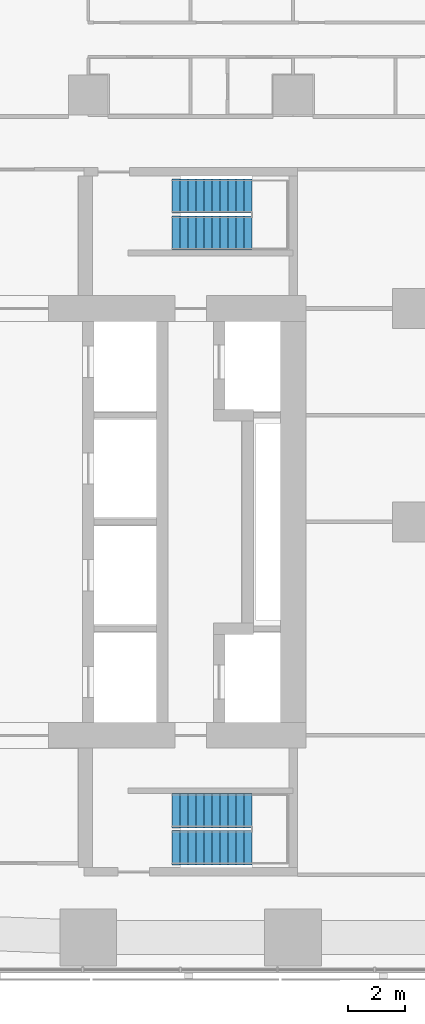
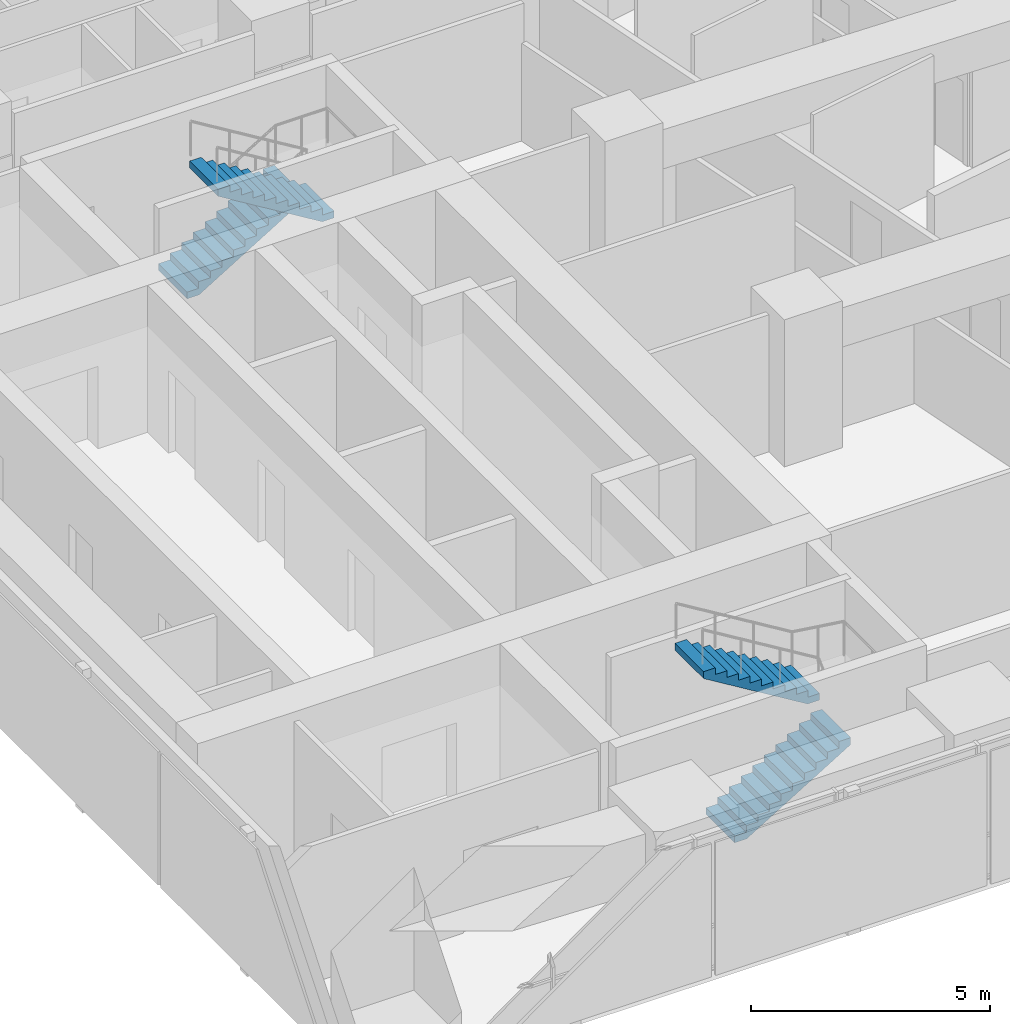
# One storey, part 10 of 11: 4 stair flights, 2 elements without a shape of their own.
"""IFC4 building model written with IfcOpenShell, lengths in metres."""

from ifc_helpers import new_model, si_unit, direction, frame, origin, place, context, subcontext, project, spatial, triangles, material, type_object, element, aggregate, save


model = new_model("IFC4")

# Units and contexts
model_context = context("Model", 3, precision=1e-05, world=origin(), true_north=direction((0.0, 1.0)))
body_context = subcontext(model_context, "Body", "Model", "MODEL_VIEW")
ifc_project = project(units=[si_unit("LENGTHUNIT", "METRE"), si_unit("AREAUNIT", "SQUARE_METRE"), si_unit("VOLUMEUNIT", "CUBIC_METRE"), si_unit("PLANEANGLEUNIT", "RADIAN"), si_unit("MASSUNIT", "GRAM", prefix="KILO")], contexts=[model_context])

# Site, building, storey
site_placement = place(None, origin())
site = spatial("IfcSite", under=ifc_project, at=site_placement, CompositionType="ELEMENT")
building_placement = place(site_placement, origin())
building = spatial("IfcBuilding", under=site, at=building_placement, Name="Sheger Commons Tower", CompositionType="ELEMENT")
storey_placement = place(building_placement, frame((0.0, 0.0, 270.35009765625)))
storey = spatial("IfcBuildingStorey", under=building, at=storey_placement, Name="L69", CompositionType="ELEMENT", Elevation=270.35009765625)

# Stair, stair flights
ifc_material_1 = material(Name="Concrete C35/45", Category="concrete")
stair_type = type_object("IfcStairType", Name="HALF-TURN STAIR 1200 RISE 3750", PredefinedType="HALF_TURN_STAIR", material=ifc_material_1)
stair_1_placement = place(storey_placement, origin())
stair_1 = element("IfcStair", 1, at=stair_1_placement, inside=storey, type_object=stair_type, Name="Stair S1 L69", PredefinedType="HALF_TURN_STAIR")
ifc_material_2 = material(Name="Concrete C35/45", Category="concrete")
stair_flight_type = type_object("IfcStairFlightType", Name="STAIR FLIGHT 1200 11 RISERS OF 170", PredefinedType="STRAIGHT", material=ifc_material_2)
stair_flight_1_placement = place(storey_placement, frame((24.550048828125, 11.050048828125, 0.0), z_axis=(0.0, 0.0, 1.0), x_axis=(1.0, 0.0, 0.0)))
stair_flight_1 = element("IfcStairFlight", 2, at=stair_flight_1_placement, type_object=stair_flight_type, Name="S1 flight 1", NumberOfRisers=11, NumberOfTreads=10, PredefinedType="STRAIGHT", RiserHeight=0.170454545, TreadLength=0.28, context=body_context, shape_type="Tessellation", body=[
    triangles([(0.0, 0.5999755859375, 0.0), (0.0, 0.5999755859375, 0.17041015625), (0.280029296875, 0.5999755859375, 0.17041015625), (0.280029296875, 0.5999755859375, 0.3408203125), (0.56005859375, 0.5999755859375, 0.3408203125), (0.56005859375, 0.5999755859375, 0.511474609375), (0.840087890625, 0.5999755859375, 0.511474609375), (0.840087890625, 0.5999755859375, 0.681884765625), (1.1201171875, 0.5999755859375, 0.681884765625), (1.1201171875, 0.5999755859375, 0.852294921875), (1.39990234375, 0.5999755859375, 0.852294921875), (1.39990234375, 0.5999755859375, 1.022705078125), (1.679931640625, 0.5999755859375, 1.022705078125), (1.679931640625, 0.5999755859375, 1.193115234375), (1.9599609375, 0.5999755859375, 1.193115234375), (1.9599609375, 0.5999755859375, 1.363525390625), (2.239990234375, 0.5999755859375, 1.363525390625), (2.239990234375, 0.5999755859375, 1.5341796875), (2.52001953125, 0.5999755859375, 1.5341796875), (2.52001953125, 0.5999755859375, 1.70458984375), (2.800048828125, 0.5999755859375, 1.70458984375), (2.800048828125, 0.5999755859375, 1.529052734375), (0.288330078125, 0.5999755859375, 0.0), (0.0, -0.5999755859375, 0.0), (0.0, -0.5999755859375, 0.17041015625), (0.280029296875, -0.5999755859375, 0.17041015625), (0.280029296875, -0.5999755859375, 0.3408203125), (0.56005859375, -0.5999755859375, 0.3408203125), (0.56005859375, -0.5999755859375, 0.511474609375), (0.840087890625, -0.5999755859375, 0.511474609375), (0.840087890625, -0.5999755859375, 0.681884765625), (1.1201171875, -0.5999755859375, 0.681884765625), (1.1201171875, -0.5999755859375, 0.852294921875), (1.39990234375, -0.5999755859375, 0.852294921875), (1.39990234375, -0.5999755859375, 1.022705078125), (1.679931640625, -0.5999755859375, 1.022705078125), (1.679931640625, -0.5999755859375, 1.193115234375), (1.9599609375, -0.5999755859375, 1.193115234375), (1.9599609375, -0.5999755859375, 1.363525390625), (2.239990234375, -0.5999755859375, 1.363525390625), (2.239990234375, -0.5999755859375, 1.5341796875), (2.52001953125, -0.5999755859375, 1.5341796875), (2.52001953125, -0.5999755859375, 1.70458984375), (2.800048828125, -0.5999755859375, 1.70458984375), (2.800048828125, -0.5999755859375, 1.529052734375), (0.288330078125, -0.5999755859375, 0.0), (0.0, 0.0, 0.085205078125), (0.1400146484375, 0.0, 0.17041015625), (0.280029296875, 0.0, 0.255615234375), (0.4200439453125, 0.0, 0.3408203125), (0.56005859375, 0.0, 0.4261474609375), (0.7000732421875, 0.0, 0.511474609375), (0.840087890625, 0.0, 0.5966796875), (0.9801025390625, 0.0, 0.681884765625), (1.1201171875, 0.0, 0.76708984375), (1.260009765625, 0.0, 0.852294921875), (1.39990234375, 0.0, 0.9375), (1.5399169921875, 0.0, 1.022705078125), (1.679931640625, 0.0, 1.10791015625), (1.8199462890625, 0.0, 1.193115234375), (1.9599609375, 0.0, 1.2783203125), (2.0999755859375, 0.0, 1.363525390625), (2.239990234375, 0.0, 1.4488525390625), (2.3800048828125, 0.0, 1.5341796875), (2.52001953125, 0.0, 1.619384765625), (2.6600341796875, 0.0, 1.70458984375), (2.800048828125, 0.0, 1.6168212890625), (1.544189453125, 0.0, 0.7645263671875), (0.1441650390625, 0.0, 0.0)], [[1, 22, 23], [24, 46, 45], [22, 20, 21], [45, 44, 43], [22, 19, 20], [45, 43, 42], [22, 18, 19], [45, 42, 41], [22, 17, 18], [45, 41, 40], [17, 15, 16], [40, 39, 38], [22, 15, 17], [45, 40, 38], [15, 13, 14], [38, 37, 36], [22, 13, 15], [45, 38, 36], [13, 11, 12], [36, 35, 34], [22, 11, 13], [45, 36, 34], [11, 9, 10], [34, 33, 32], [22, 9, 11], [45, 34, 32], [9, 7, 8], [32, 31, 30], [22, 7, 9], [45, 32, 30], [7, 5, 6], [30, 29, 28], [22, 5, 7], [45, 30, 28], [5, 3, 4], [28, 27, 26], [22, 3, 5], [45, 28, 26], [1, 3, 22], [24, 45, 26], [3, 1, 2], [26, 25, 24], [1, 47, 2], [2, 47, 25], [25, 47, 24], [24, 47, 1], [2, 48, 3], [3, 48, 26], [26, 48, 25], [25, 48, 2], [3, 49, 4], [4, 49, 27], [27, 49, 26], [26, 49, 3], [4, 50, 5], [5, 50, 28], [28, 50, 27], [27, 50, 4], [5, 51, 6], [6, 51, 29], [29, 51, 28], [28, 51, 5], [6, 52, 7], [7, 52, 30], [30, 52, 29], [29, 52, 6], [7, 53, 8], [8, 53, 31], [31, 53, 30], [30, 53, 7], [8, 54, 9], [9, 54, 32], [32, 54, 31], [31, 54, 8], [9, 55, 10], [10, 55, 33], [33, 55, 32], [32, 55, 9], [10, 56, 11], [11, 56, 34], [34, 56, 33], [33, 56, 10], [11, 57, 12], [12, 57, 35], [35, 57, 34], [34, 57, 11], [12, 58, 13], [13, 58, 36], [36, 58, 35], [35, 58, 12], [13, 59, 14], [14, 59, 37], [37, 59, 36], [36, 59, 13], [14, 60, 15], [15, 60, 38], [38, 60, 37], [37, 60, 14], [15, 61, 16], [16, 61, 39], [39, 61, 38], [38, 61, 15], [16, 62, 17], [17, 62, 40], [40, 62, 39], [39, 62, 16], [17, 63, 18], [18, 63, 41], [41, 63, 40], [40, 63, 17], [18, 64, 19], [19, 64, 42], [42, 64, 41], [41, 64, 18], [19, 65, 20], [20, 65, 43], [43, 65, 42], [42, 65, 19], [20, 66, 21], [21, 66, 44], [44, 66, 43], [43, 66, 20], [21, 67, 22], [22, 67, 45], [45, 67, 44], [44, 67, 21], [22, 68, 23], [23, 68, 46], [46, 68, 45], [45, 68, 22], [23, 69, 1], [1, 69, 24], [24, 69, 46], [46, 69, 23]], closed=True),
])
stair_flight_2_placement = place(storey_placement, frame((27.35009765625, 12.35009765625, 1.875), z_axis=(0.0, 0.0, 1.0), x_axis=(-1.0, 0.0, 0.0)))
stair_flight_2 = element("IfcStairFlight", 3, at=stair_flight_2_placement, type_object=stair_flight_type, Name="S1 flight 2", NumberOfRisers=11, NumberOfTreads=10, PredefinedType="STRAIGHT", RiserHeight=0.170454545, TreadLength=0.28, context=body_context, shape_type="Tessellation", body=[
    triangles([(0.0, 0.5999755859375, 0.0), (0.0, 0.5999755859375, 0.17041015625), (0.280029296875, 0.5999755859375, 0.17041015625), (0.280029296875, 0.5999755859375, 0.3408203125), (0.56005859375, 0.5999755859375, 0.3408203125), (0.56005859375, 0.5999755859375, 0.511474609375), (0.840087890625, 0.5999755859375, 0.511474609375), (0.840087890625, 0.5999755859375, 0.681884765625), (1.1201171875, 0.5999755859375, 0.681884765625), (1.1201171875, 0.5999755859375, 0.852294921875), (1.39990234375, 0.5999755859375, 0.852294921875), (1.39990234375, 0.5999755859375, 1.022705078125), (1.679931640625, 0.5999755859375, 1.022705078125), (1.679931640625, 0.5999755859375, 1.193115234375), (1.9599609375, 0.5999755859375, 1.193115234375), (1.9599609375, 0.5999755859375, 1.363525390625), (2.239990234375, 0.5999755859375, 1.363525390625), (2.239990234375, 0.5999755859375, 1.5341796875), (2.52001953125, 0.5999755859375, 1.5341796875), (2.52001953125, 0.5999755859375, 1.70458984375), (2.800048828125, 0.5999755859375, 1.70458984375), (2.800048828125, 0.5999755859375, 1.529052734375), (0.288330078125, 0.5999755859375, 0.0), (0.0, -0.5999755859375, 0.0), (0.0, -0.5999755859375, 0.17041015625), (0.280029296875, -0.5999755859375, 0.17041015625), (0.280029296875, -0.5999755859375, 0.3408203125), (0.56005859375, -0.5999755859375, 0.3408203125), (0.56005859375, -0.5999755859375, 0.511474609375), (0.840087890625, -0.5999755859375, 0.511474609375), (0.840087890625, -0.5999755859375, 0.681884765625), (1.1201171875, -0.5999755859375, 0.681884765625), (1.1201171875, -0.5999755859375, 0.852294921875), (1.39990234375, -0.5999755859375, 0.852294921875), (1.39990234375, -0.5999755859375, 1.022705078125), (1.679931640625, -0.5999755859375, 1.022705078125), (1.679931640625, -0.5999755859375, 1.193115234375), (1.9599609375, -0.5999755859375, 1.193115234375), (1.9599609375, -0.5999755859375, 1.363525390625), (2.239990234375, -0.5999755859375, 1.363525390625), (2.239990234375, -0.5999755859375, 1.5341796875), (2.52001953125, -0.5999755859375, 1.5341796875), (2.52001953125, -0.5999755859375, 1.70458984375), (2.800048828125, -0.5999755859375, 1.70458984375), (2.800048828125, -0.5999755859375, 1.529052734375), (0.288330078125, -0.5999755859375, 0.0), (0.0, 0.0, 0.085205078125), (0.1400146484375, 0.0, 0.17041015625), (0.280029296875, 0.0, 0.255615234375), (0.4200439453125, 0.0, 0.3408203125), (0.56005859375, 0.0, 0.4261474609375), (0.7000732421875, 0.0, 0.511474609375), (0.840087890625, 0.0, 0.5966796875), (0.9801025390625, 0.0, 0.681884765625), (1.1201171875, 0.0, 0.76708984375), (1.260009765625, 0.0, 0.852294921875), (1.39990234375, 0.0, 0.9375), (1.5399169921875, 0.0, 1.022705078125), (1.679931640625, 0.0, 1.10791015625), (1.8199462890625, 0.0, 1.193115234375), (1.9599609375, 0.0, 1.2783203125), (2.0999755859375, 0.0, 1.363525390625), (2.239990234375, 0.0, 1.4488525390625), (2.3800048828125, 0.0, 1.5341796875), (2.52001953125, 0.0, 1.619384765625), (2.6600341796875, 0.0, 1.70458984375), (2.800048828125, 0.0, 1.6168212890625), (1.544189453125, 0.0, 0.7645263671875), (0.1441650390625, 0.0, 0.0)], [[1, 22, 23], [24, 46, 45], [22, 20, 21], [45, 44, 43], [22, 19, 20], [45, 43, 42], [22, 18, 19], [45, 42, 41], [22, 17, 18], [45, 41, 40], [17, 15, 16], [40, 39, 38], [22, 15, 17], [45, 40, 38], [15, 13, 14], [38, 37, 36], [22, 13, 15], [45, 38, 36], [13, 11, 12], [36, 35, 34], [22, 11, 13], [45, 36, 34], [11, 9, 10], [34, 33, 32], [22, 9, 11], [45, 34, 32], [9, 7, 8], [32, 31, 30], [22, 7, 9], [45, 32, 30], [7, 5, 6], [30, 29, 28], [22, 5, 7], [45, 30, 28], [5, 3, 4], [28, 27, 26], [22, 3, 5], [45, 28, 26], [1, 3, 22], [24, 45, 26], [3, 1, 2], [26, 25, 24], [1, 47, 2], [2, 47, 25], [25, 47, 24], [24, 47, 1], [2, 48, 3], [3, 48, 26], [26, 48, 25], [25, 48, 2], [3, 49, 4], [4, 49, 27], [27, 49, 26], [26, 49, 3], [4, 50, 5], [5, 50, 28], [28, 50, 27], [27, 50, 4], [5, 51, 6], [6, 51, 29], [29, 51, 28], [28, 51, 5], [6, 52, 7], [7, 52, 30], [30, 52, 29], [29, 52, 6], [7, 53, 8], [8, 53, 31], [31, 53, 30], [30, 53, 7], [8, 54, 9], [9, 54, 32], [32, 54, 31], [31, 54, 8], [9, 55, 10], [10, 55, 33], [33, 55, 32], [32, 55, 9], [10, 56, 11], [11, 56, 34], [34, 56, 33], [33, 56, 10], [11, 57, 12], [12, 57, 35], [35, 57, 34], [34, 57, 11], [12, 58, 13], [13, 58, 36], [36, 58, 35], [35, 58, 12], [13, 59, 14], [14, 59, 37], [37, 59, 36], [36, 59, 13], [14, 60, 15], [15, 60, 38], [38, 60, 37], [37, 60, 14], [15, 61, 16], [16, 61, 39], [39, 61, 38], [38, 61, 15], [16, 62, 17], [17, 62, 40], [40, 62, 39], [39, 62, 16], [17, 63, 18], [18, 63, 41], [41, 63, 40], [40, 63, 17], [18, 64, 19], [19, 64, 42], [42, 64, 41], [41, 64, 18], [19, 65, 20], [20, 65, 43], [43, 65, 42], [42, 65, 19], [20, 66, 21], [21, 66, 44], [44, 66, 43], [43, 66, 20], [21, 67, 22], [22, 67, 45], [45, 67, 44], [44, 67, 21], [22, 68, 23], [23, 68, 46], [46, 68, 45], [45, 68, 22], [23, 69, 1], [1, 69, 24], [24, 69, 46], [46, 69, 23]], closed=True),
])
aggregate(stair_1, [stair_flight_1, stair_flight_2])

stair_2_placement = place(storey_placement, origin())
stair_2 = element("IfcStair", 4, at=stair_2_placement, inside=storey, type_object=stair_type, Name="Stair S2 L69", PredefinedType="HALF_TURN_STAIR")
stair_flight_3_placement = place(storey_placement, frame((24.550048828125, 33.949951171875, 0.0), z_axis=(0.0, 0.0, 1.0), x_axis=(1.0, 0.0, 0.0)))
stair_flight_3 = element("IfcStairFlight", 5, at=stair_flight_3_placement, type_object=stair_flight_type, Name="S2 flight 1", NumberOfRisers=11, NumberOfTreads=10, PredefinedType="STRAIGHT", RiserHeight=0.170454545, TreadLength=0.28, context=body_context, shape_type="Tessellation", body=[
    triangles([(0.0, 0.5999755859375, 0.0), (0.0, 0.5999755859375, 0.17041015625), (0.280029296875, 0.5999755859375, 0.17041015625), (0.280029296875, 0.5999755859375, 0.3408203125), (0.56005859375, 0.5999755859375, 0.3408203125), (0.56005859375, 0.5999755859375, 0.511474609375), (0.840087890625, 0.5999755859375, 0.511474609375), (0.840087890625, 0.5999755859375, 0.681884765625), (1.1201171875, 0.5999755859375, 0.681884765625), (1.1201171875, 0.5999755859375, 0.852294921875), (1.39990234375, 0.5999755859375, 0.852294921875), (1.39990234375, 0.5999755859375, 1.022705078125), (1.679931640625, 0.5999755859375, 1.022705078125), (1.679931640625, 0.5999755859375, 1.193115234375), (1.9599609375, 0.5999755859375, 1.193115234375), (1.9599609375, 0.5999755859375, 1.363525390625), (2.239990234375, 0.5999755859375, 1.363525390625), (2.239990234375, 0.5999755859375, 1.5341796875), (2.52001953125, 0.5999755859375, 1.5341796875), (2.52001953125, 0.5999755859375, 1.70458984375), (2.800048828125, 0.5999755859375, 1.70458984375), (2.800048828125, 0.5999755859375, 1.529052734375), (0.288330078125, 0.5999755859375, 0.0), (0.0, -0.5999755859375, 0.0), (0.0, -0.5999755859375, 0.17041015625), (0.280029296875, -0.5999755859375, 0.17041015625), (0.280029296875, -0.5999755859375, 0.3408203125), (0.56005859375, -0.5999755859375, 0.3408203125), (0.56005859375, -0.5999755859375, 0.511474609375), (0.840087890625, -0.5999755859375, 0.511474609375), (0.840087890625, -0.5999755859375, 0.681884765625), (1.1201171875, -0.5999755859375, 0.681884765625), (1.1201171875, -0.5999755859375, 0.852294921875), (1.39990234375, -0.5999755859375, 0.852294921875), (1.39990234375, -0.5999755859375, 1.022705078125), (1.679931640625, -0.5999755859375, 1.022705078125), (1.679931640625, -0.5999755859375, 1.193115234375), (1.9599609375, -0.5999755859375, 1.193115234375), (1.9599609375, -0.5999755859375, 1.363525390625), (2.239990234375, -0.5999755859375, 1.363525390625), (2.239990234375, -0.5999755859375, 1.5341796875), (2.52001953125, -0.5999755859375, 1.5341796875), (2.52001953125, -0.5999755859375, 1.70458984375), (2.800048828125, -0.5999755859375, 1.70458984375), (2.800048828125, -0.5999755859375, 1.529052734375), (0.288330078125, -0.5999755859375, 0.0), (0.0, 0.0, 0.085205078125), (0.1400146484375, 0.0, 0.17041015625), (0.280029296875, 0.0, 0.255615234375), (0.4200439453125, 0.0, 0.3408203125), (0.56005859375, 0.0, 0.4261474609375), (0.7000732421875, 0.0, 0.511474609375), (0.840087890625, 0.0, 0.5966796875), (0.9801025390625, 0.0, 0.681884765625), (1.1201171875, 0.0, 0.76708984375), (1.260009765625, 0.0, 0.852294921875), (1.39990234375, 0.0, 0.9375), (1.5399169921875, 0.0, 1.022705078125), (1.679931640625, 0.0, 1.10791015625), (1.8199462890625, 0.0, 1.193115234375), (1.9599609375, 0.0, 1.2783203125), (2.0999755859375, 0.0, 1.363525390625), (2.239990234375, 0.0, 1.4488525390625), (2.3800048828125, 0.0, 1.5341796875), (2.52001953125, 0.0, 1.619384765625), (2.6600341796875, 0.0, 1.70458984375), (2.800048828125, 0.0, 1.6168212890625), (1.544189453125, 0.0, 0.7645263671875), (0.1441650390625, 0.0, 0.0)], [[1, 22, 23], [24, 46, 45], [22, 20, 21], [45, 44, 43], [22, 19, 20], [45, 43, 42], [22, 18, 19], [45, 42, 41], [22, 17, 18], [45, 41, 40], [17, 15, 16], [40, 39, 38], [22, 15, 17], [45, 40, 38], [15, 13, 14], [38, 37, 36], [22, 13, 15], [45, 38, 36], [13, 11, 12], [36, 35, 34], [22, 11, 13], [45, 36, 34], [11, 9, 10], [34, 33, 32], [22, 9, 11], [45, 34, 32], [9, 7, 8], [32, 31, 30], [22, 7, 9], [45, 32, 30], [7, 5, 6], [30, 29, 28], [22, 5, 7], [45, 30, 28], [5, 3, 4], [28, 27, 26], [22, 3, 5], [45, 28, 26], [1, 3, 22], [24, 45, 26], [3, 1, 2], [26, 25, 24], [1, 47, 2], [2, 47, 25], [25, 47, 24], [24, 47, 1], [2, 48, 3], [3, 48, 26], [26, 48, 25], [25, 48, 2], [3, 49, 4], [4, 49, 27], [27, 49, 26], [26, 49, 3], [4, 50, 5], [5, 50, 28], [28, 50, 27], [27, 50, 4], [5, 51, 6], [6, 51, 29], [29, 51, 28], [28, 51, 5], [6, 52, 7], [7, 52, 30], [30, 52, 29], [29, 52, 6], [7, 53, 8], [8, 53, 31], [31, 53, 30], [30, 53, 7], [8, 54, 9], [9, 54, 32], [32, 54, 31], [31, 54, 8], [9, 55, 10], [10, 55, 33], [33, 55, 32], [32, 55, 9], [10, 56, 11], [11, 56, 34], [34, 56, 33], [33, 56, 10], [11, 57, 12], [12, 57, 35], [35, 57, 34], [34, 57, 11], [12, 58, 13], [13, 58, 36], [36, 58, 35], [35, 58, 12], [13, 59, 14], [14, 59, 37], [37, 59, 36], [36, 59, 13], [14, 60, 15], [15, 60, 38], [38, 60, 37], [37, 60, 14], [15, 61, 16], [16, 61, 39], [39, 61, 38], [38, 61, 15], [16, 62, 17], [17, 62, 40], [40, 62, 39], [39, 62, 16], [17, 63, 18], [18, 63, 41], [41, 63, 40], [40, 63, 17], [18, 64, 19], [19, 64, 42], [42, 64, 41], [41, 64, 18], [19, 65, 20], [20, 65, 43], [43, 65, 42], [42, 65, 19], [20, 66, 21], [21, 66, 44], [44, 66, 43], [43, 66, 20], [21, 67, 22], [22, 67, 45], [45, 67, 44], [44, 67, 21], [22, 68, 23], [23, 68, 46], [46, 68, 45], [45, 68, 22], [23, 69, 1], [1, 69, 24], [24, 69, 46], [46, 69, 23]], closed=True),
])
stair_flight_4_placement = place(storey_placement, frame((27.35009765625, 32.64990234375, 1.875), z_axis=(0.0, 0.0, 1.0), x_axis=(-1.0, 0.0, 0.0)))
stair_flight_4 = element("IfcStairFlight", 6, at=stair_flight_4_placement, type_object=stair_flight_type, Name="S2 flight 2", NumberOfRisers=11, NumberOfTreads=10, PredefinedType="STRAIGHT", RiserHeight=0.170454545, TreadLength=0.28, context=body_context, shape_type="Tessellation", body=[
    triangles([(0.0, 0.5999755859375, 0.0), (0.0, 0.5999755859375, 0.17041015625), (0.280029296875, 0.5999755859375, 0.17041015625), (0.280029296875, 0.5999755859375, 0.3408203125), (0.56005859375, 0.5999755859375, 0.3408203125), (0.56005859375, 0.5999755859375, 0.511474609375), (0.840087890625, 0.5999755859375, 0.511474609375), (0.840087890625, 0.5999755859375, 0.681884765625), (1.1201171875, 0.5999755859375, 0.681884765625), (1.1201171875, 0.5999755859375, 0.852294921875), (1.39990234375, 0.5999755859375, 0.852294921875), (1.39990234375, 0.5999755859375, 1.022705078125), (1.679931640625, 0.5999755859375, 1.022705078125), (1.679931640625, 0.5999755859375, 1.193115234375), (1.9599609375, 0.5999755859375, 1.193115234375), (1.9599609375, 0.5999755859375, 1.363525390625), (2.239990234375, 0.5999755859375, 1.363525390625), (2.239990234375, 0.5999755859375, 1.5341796875), (2.52001953125, 0.5999755859375, 1.5341796875), (2.52001953125, 0.5999755859375, 1.70458984375), (2.800048828125, 0.5999755859375, 1.70458984375), (2.800048828125, 0.5999755859375, 1.529052734375), (0.288330078125, 0.5999755859375, 0.0), (0.0, -0.5999755859375, 0.0), (0.0, -0.5999755859375, 0.17041015625), (0.280029296875, -0.5999755859375, 0.17041015625), (0.280029296875, -0.5999755859375, 0.3408203125), (0.56005859375, -0.5999755859375, 0.3408203125), (0.56005859375, -0.5999755859375, 0.511474609375), (0.840087890625, -0.5999755859375, 0.511474609375), (0.840087890625, -0.5999755859375, 0.681884765625), (1.1201171875, -0.5999755859375, 0.681884765625), (1.1201171875, -0.5999755859375, 0.852294921875), (1.39990234375, -0.5999755859375, 0.852294921875), (1.39990234375, -0.5999755859375, 1.022705078125), (1.679931640625, -0.5999755859375, 1.022705078125), (1.679931640625, -0.5999755859375, 1.193115234375), (1.9599609375, -0.5999755859375, 1.193115234375), (1.9599609375, -0.5999755859375, 1.363525390625), (2.239990234375, -0.5999755859375, 1.363525390625), (2.239990234375, -0.5999755859375, 1.5341796875), (2.52001953125, -0.5999755859375, 1.5341796875), (2.52001953125, -0.5999755859375, 1.70458984375), (2.800048828125, -0.5999755859375, 1.70458984375), (2.800048828125, -0.5999755859375, 1.529052734375), (0.288330078125, -0.5999755859375, 0.0), (0.0, 0.0, 0.085205078125), (0.1400146484375, 0.0, 0.17041015625), (0.280029296875, 0.0, 0.255615234375), (0.4200439453125, 0.0, 0.3408203125), (0.56005859375, 0.0, 0.4261474609375), (0.7000732421875, 0.0, 0.511474609375), (0.840087890625, 0.0, 0.5966796875), (0.9801025390625, 0.0, 0.681884765625), (1.1201171875, 0.0, 0.76708984375), (1.260009765625, 0.0, 0.852294921875), (1.39990234375, 0.0, 0.9375), (1.5399169921875, 0.0, 1.022705078125), (1.679931640625, 0.0, 1.10791015625), (1.8199462890625, 0.0, 1.193115234375), (1.9599609375, 0.0, 1.2783203125), (2.0999755859375, 0.0, 1.363525390625), (2.239990234375, 0.0, 1.4488525390625), (2.3800048828125, 0.0, 1.5341796875), (2.52001953125, 0.0, 1.619384765625), (2.6600341796875, 0.0, 1.70458984375), (2.800048828125, 0.0, 1.6168212890625), (1.544189453125, 0.0, 0.7645263671875), (0.1441650390625, 0.0, 0.0)], [[1, 22, 23], [24, 46, 45], [22, 20, 21], [45, 44, 43], [22, 19, 20], [45, 43, 42], [22, 18, 19], [45, 42, 41], [22, 17, 18], [45, 41, 40], [17, 15, 16], [40, 39, 38], [22, 15, 17], [45, 40, 38], [15, 13, 14], [38, 37, 36], [22, 13, 15], [45, 38, 36], [13, 11, 12], [36, 35, 34], [22, 11, 13], [45, 36, 34], [11, 9, 10], [34, 33, 32], [22, 9, 11], [45, 34, 32], [9, 7, 8], [32, 31, 30], [22, 7, 9], [45, 32, 30], [7, 5, 6], [30, 29, 28], [22, 5, 7], [45, 30, 28], [5, 3, 4], [28, 27, 26], [22, 3, 5], [45, 28, 26], [1, 3, 22], [24, 45, 26], [3, 1, 2], [26, 25, 24], [1, 47, 2], [2, 47, 25], [25, 47, 24], [24, 47, 1], [2, 48, 3], [3, 48, 26], [26, 48, 25], [25, 48, 2], [3, 49, 4], [4, 49, 27], [27, 49, 26], [26, 49, 3], [4, 50, 5], [5, 50, 28], [28, 50, 27], [27, 50, 4], [5, 51, 6], [6, 51, 29], [29, 51, 28], [28, 51, 5], [6, 52, 7], [7, 52, 30], [30, 52, 29], [29, 52, 6], [7, 53, 8], [8, 53, 31], [31, 53, 30], [30, 53, 7], [8, 54, 9], [9, 54, 32], [32, 54, 31], [31, 54, 8], [9, 55, 10], [10, 55, 33], [33, 55, 32], [32, 55, 9], [10, 56, 11], [11, 56, 34], [34, 56, 33], [33, 56, 10], [11, 57, 12], [12, 57, 35], [35, 57, 34], [34, 57, 11], [12, 58, 13], [13, 58, 36], [36, 58, 35], [35, 58, 12], [13, 59, 14], [14, 59, 37], [37, 59, 36], [36, 59, 13], [14, 60, 15], [15, 60, 38], [38, 60, 37], [37, 60, 14], [15, 61, 16], [16, 61, 39], [39, 61, 38], [38, 61, 15], [16, 62, 17], [17, 62, 40], [40, 62, 39], [39, 62, 16], [17, 63, 18], [18, 63, 41], [41, 63, 40], [40, 63, 17], [18, 64, 19], [19, 64, 42], [42, 64, 41], [41, 64, 18], [19, 65, 20], [20, 65, 43], [43, 65, 42], [42, 65, 19], [20, 66, 21], [21, 66, 44], [44, 66, 43], [43, 66, 20], [21, 67, 22], [22, 67, 45], [45, 67, 44], [44, 67, 21], [22, 68, 23], [23, 68, 46], [46, 68, 45], [45, 68, 22], [23, 69, 1], [1, 69, 24], [24, 69, 46], [46, 69, 23]], closed=True),
])
aggregate(stair_2, [stair_flight_3, stair_flight_4])

save(model, "model.ifc")
